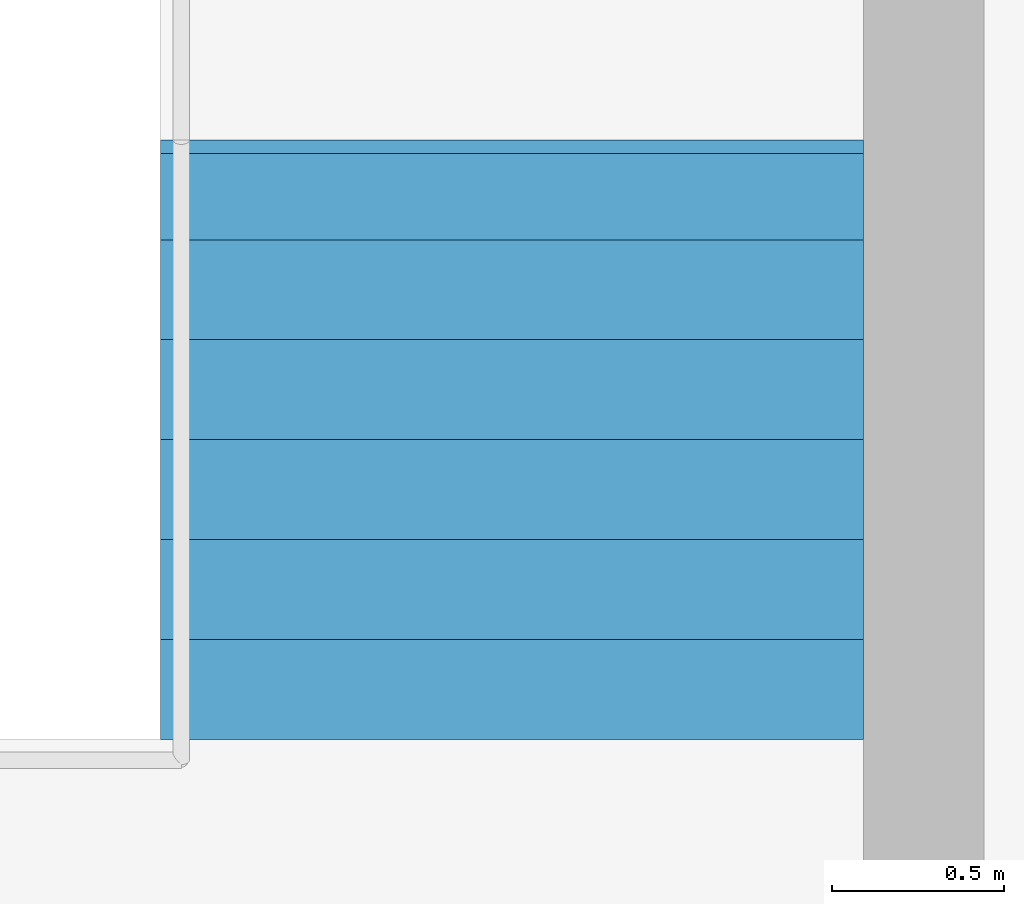
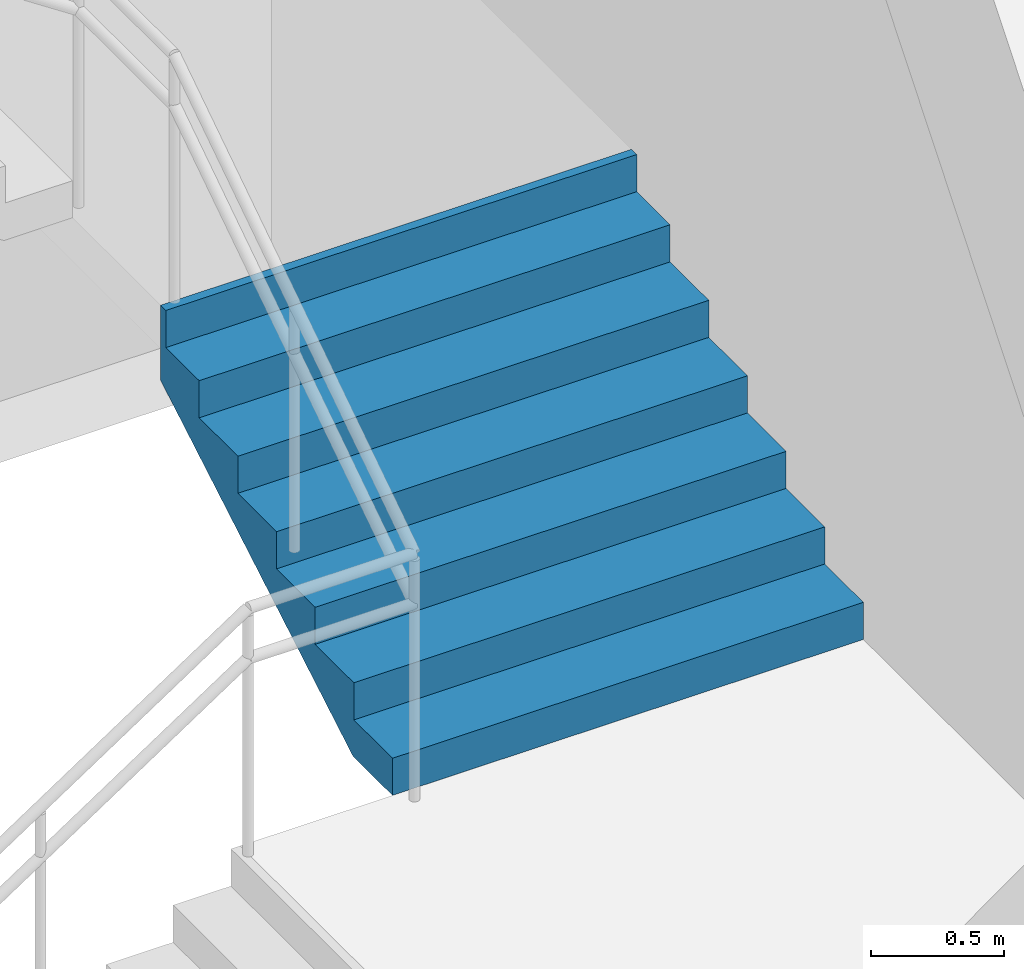
# One storey, part 45 of 58: 1 stair flight, 1 element without a shape of its own.
"""IFC4 building model written with IfcOpenShell, lengths in metres."""

import ifcopenshell
import ifcopenshell.guid

model = None  # the IFC model being written
_history = None  # IfcOwnerHistory: only IFC2X3 demands one
_inside = {}  # id of a spatial element -> (the spatial element, [elements in it])
_under = {}  # id of a project, library or spatial element -> (it, [spatial elements below it])
_declared = {}  # id of a project -> (the project, [libraries it declares])
_typed = {}  # id of a type object -> (the type object, [elements of that type])
_made_of = {}  # id of a material, layer set ... -> (it, [elements and type objects made of it])


def new_model(schema):
    """Start an empty IFC model of exactly this schema.

    Asked for "IFC4X3", IfcOpenShell would pick the latest addendum, in which some entities
    have other attributes; the version numbers below select the first issue.
    IFC2X3 requires an IfcOwnerHistory on every rooted entity: one is made here for all.
    """
    global model, _history
    if schema == "IFC4X3":
        model = ifcopenshell.file(schema_version=(4, 3, 0, 0))
    else:
        model = ifcopenshell.file(schema=schema)
    _inside.clear()
    _under.clear()
    _declared.clear()
    _typed.clear()
    _made_of.clear()
    _history = None
    if model.schema == "IFC2X3":
        org = make("IfcOrganization", Name="unknown")
        user = make(
            "IfcPersonAndOrganization",
            ThePerson=make("IfcPerson", FamilyName="unknown"),
            TheOrganization=org,
        )
        app = make(
            "IfcApplication",
            ApplicationDeveloper=org,
            Version="unknown",
            ApplicationFullName="unknown",
            ApplicationIdentifier="unknown",
        )
        _history = make(
            "IfcOwnerHistory",
            OwningUser=user,
            OwningApplication=app,
            ChangeAction="ADDED",
            CreationDate=0,
        )
    return model


def make(cls, **values):
    """One entity of the class cls with the attributes given. An attribute that is None is left unset."""
    return model.create_entity(
        cls, **{name: value for name, value in values.items() if value is not None}
    )


def rooted(cls, **values):
    """An entity with a GlobalId (a new one), such as an element, a storey or a relation."""
    return make(cls, GlobalId=ifcopenshell.guid.new(), OwnerHistory=_history, **values)


def si_unit(unit_type, name, prefix=None):
    """IfcSIUnit, for example si_unit("LENGTHUNIT", "METRE", prefix="MILLI")."""
    return make("IfcSIUnit", UnitType=unit_type, Prefix=prefix, Name=name)


def assignment(units):
    """IfcUnitAssignment: the units of a project."""
    return None if units is None else make("IfcUnitAssignment", Units=units)


def point(xyz):
    """IfcCartesianPoint."""
    return None if xyz is None else make("IfcCartesianPoint", Coordinates=xyz)


def direction(xyz):
    """IfcDirection."""
    return None if xyz is None else make("IfcDirection", DirectionRatios=xyz)


def frame(location, z_axis=None, x_axis=None):
    """IfcAxis2Placement3D, a coordinate frame: its origin and axes. An axis left out is left unset."""
    return make(
        "IfcAxis2Placement3D",
        Location=point(location),
        Axis=direction(z_axis),
        RefDirection=direction(x_axis),
    )


def origin():
    """The frame at (0, 0, 0) with its axes left unset."""
    return frame((0.0, 0.0, 0.0))


def place(relative_to, where):
    """IfcLocalPlacement: puts the frame where relative to a parent placement (None: the world)."""
    return make(
        "IfcLocalPlacement", PlacementRelTo=relative_to, RelativePlacement=where
    )


def context(
    kind, dimensions, precision=None, world=None, true_north=None, identifier=None
):
    """IfcGeometricRepresentationContext, for example the 3D "Model" context."""
    return make(
        "IfcGeometricRepresentationContext",
        ContextIdentifier=identifier,
        ContextType=kind,
        CoordinateSpaceDimension=dimensions,
        Precision=precision,
        WorldCoordinateSystem=world,
        TrueNorth=true_north,
    )


def subcontext(parent, identifier, kind, view, scale=None):
    """IfcGeometricRepresentationSubContext, for example "Body" below "Model"."""
    return make(
        "IfcGeometricRepresentationSubContext",
        ContextIdentifier=identifier,
        ContextType=kind,
        ParentContext=parent,
        TargetScale=scale,
        TargetView=view,
    )


def project(units=None, contexts=None):
    """IfcProject with its units and contexts."""
    return rooted(
        "IfcProject",
        Name="project",
        RepresentationContexts=contexts,
        UnitsInContext=assignment(units),
    )


def spatial(cls, under=None, at=None, **own):
    """A site, building, storey or space (cls), placed at a placement, below another one or the project."""
    s = rooted(cls, ObjectPlacement=at, **own)
    if under is not None:
        _under.setdefault(under.id(), (under, []))[1].append(s)
    return s


def point_list(points):
    """IfcCartesianPointList2D or 3D."""
    cls = (
        "IfcCartesianPointList2D" if len(points[0]) == 2 else "IfcCartesianPointList3D"
    )
    return make(cls, CoordList=points)


def triangles(points, corners, closed=None, point_numbers=None):
    """IfcTriangulatedFaceSet: each triangle names its three corners, points numbered from 1."""
    return make(
        "IfcTriangulatedFaceSet",
        Coordinates=point_list(points),
        Closed=closed,
        CoordIndex=corners,
        PnIndex=point_numbers,
    )


def shape(context_of_items, identifier, shape_type, items):
    """IfcShapeRepresentation: the items that make up one representation, for example the "Body"."""
    return make(
        "IfcShapeRepresentation",
        ContextOfItems=context_of_items,
        RepresentationIdentifier=identifier,
        RepresentationType=shape_type,
        Items=items,
    )


def material(Name=None, Category=None):
    """IfcMaterial."""
    return make("IfcMaterial", Name=Name, Category=Category)


def made_of(thing, what):
    """Note that an element or type object is made of a material, layer set ...; save() writes the relation."""
    if what is not None:
        _made_of.setdefault(what.id(), (what, []))[1].append(thing)
    return thing


def type_object(cls, material=None, **own):
    """A type object (cls), such as IfcWallType, which elements share."""
    return made_of(rooted(cls, **own), material)


def element(
    cls,
    number,
    at=None,
    inside=None,
    cuts=None,
    type_object=None,
    material=None,
    context=None,
    identifier="Body",
    shape_type=None,
    held_by="IfcProductDefinitionShape",
    body=None,
    shapes=None,
    **own,
):
    """One element of the class cls, such as IfcWall. Its Tag is "e" and its number.

    at: its placement. inside: the storey or other place that contains it. cuts: it is an
    opening in that element (IfcRelVoidsElement). A single representation is given by context,
    identifier, shape_type and body (its items); several are given by shapes. held_by: the class
    of the entity that holds the representations. save() writes the other relations.
    """
    e = rooted(cls, Tag="e%d" % number, ObjectPlacement=at, **own)
    if body is not None:
        shapes = [shape(context, identifier, shape_type, body)]
    if shapes is not None:
        e.Representation = make(held_by, Representations=shapes)
    if inside is not None:
        _inside.setdefault(inside.id(), (inside, []))[1].append(e)
    if cuts is not None:
        rooted(
            "IfcRelVoidsElement", RelatingBuildingElement=cuts, RelatedOpeningElement=e
        )
    if type_object is not None:
        _typed.setdefault(type_object.id(), (type_object, []))[1].append(e)
    return made_of(e, material)


def aggregate(whole, parts):
    """IfcRelAggregates: a whole, such as a stair, and the parts it consists of."""
    return rooted("IfcRelAggregates", RelatingObject=whole, RelatedObjects=parts)


def save(model, path):
    """Write the relations noted so far, then the file.

    IfcRelAggregates (storeys below a building ...), IfcRelContainedInSpatialStructure (elements
    in a storey), IfcRelDefinesByType, IfcRelAssociatesMaterial and IfcRelDeclares: one each for
    every whole, place, type object, material and project.
    """
    for whole, parts in _under.values():
        aggregate(whole, parts)
    for where, things in _inside.values():
        rooted(
            "IfcRelContainedInSpatialStructure",
            RelatedElements=things,
            RelatingStructure=where,
        )
    for kind, things in _typed.values():
        rooted("IfcRelDefinesByType", RelatedObjects=things, RelatingType=kind)
    for what, things in _made_of.values():
        rooted("IfcRelAssociatesMaterial", RelatedObjects=things, RelatingMaterial=what)
    for by, libraries in _declared.values():
        rooted("IfcRelDeclares", RelatingContext=by, RelatedDefinitions=libraries)
    model.write(path)


model = new_model("IFC4")

# Units and contexts
model_context = context("Model", 3, precision=1e-05, world=origin(), true_north=direction((0.0, 1.0)))
body_context = subcontext(model_context, "Body", "Model", "MODEL_VIEW")
ifc_project = project(units=[si_unit("LENGTHUNIT", "METRE"), si_unit("AREAUNIT", "SQUARE_METRE"), si_unit("VOLUMEUNIT", "CUBIC_METRE"), si_unit("PLANEANGLEUNIT", "RADIAN"), si_unit("MASSUNIT", "GRAM", prefix="KILO")], contexts=[model_context])

# Site, building, storey
site_placement = place(None, origin())
site = spatial("IfcSite", under=ifc_project, at=site_placement, CompositionType="ELEMENT")
building_placement = place(site_placement, origin())
building = spatial("IfcBuilding", under=site, at=building_placement, Name="Sillaruma Civic Art Gallery", CompositionType="ELEMENT")
storey_placement = place(building_placement, frame((0.0, 0.0, 28.56005859375)))
storey = spatial("IfcBuildingStorey", under=building, at=storey_placement, Name="L05", CompositionType="ELEMENT", Elevation=28.56005859375)

# Stair, stair flight
ifc_material = material(Name="Concrete H35 (35 MPa)", Category="concrete")
stair_type = type_object("IfcStairType", Name="STR-4F-27", PredefinedType="USERDEFINED", material=ifc_material)
stair_placement = place(storey_placement, origin())
stair = element("IfcStair", 1, at=stair_placement, inside=storey, type_object=stair_type, Name="Protected Exit Stair ST-03 (West Bar South) (L05)", ObjectType="THREE_RETURN_STAIR", PredefinedType="USERDEFINED")
stair_flight_type = type_object("IfcStairFlightType", Name="SFL-STR-7", PredefinedType="STRAIGHT", material=ifc_material)
stair_flight_placement = place(storey_placement, frame((68.219970703125, 33.449951171875, 1.18994140625), z_axis=(0.0, 0.0, 1.0), x_axis=(0.0, 1.0, 0.0)))
stair_flight = element("IfcStairFlight", 2, at=stair_flight_placement, type_object=stair_flight_type, Name="ST-03 flight 2", NumberOfRisers=7, NumberOfTreads=6, PredefinedType="STRAIGHT", RiserHeight=0.17, TreadLength=0.29, context=body_context, shape_type="Tessellation", body=[
    triangles([(0.0, -1.02001953125, 0.0), (0.29, -1.02001953125, 0.0), (0.296404, -1.02001953125, 0.0), (0.58, -1.02001953125, 0.166246), (0.87, -1.02001953125, 0.336246), (1.16, -1.02001953125, 0.506246), (1.45, -1.02001953125, 0.676246), (1.69999, -1.02001953125, 0.822792), (1.73999, -1.02001953125, 0.84624), (1.73999, -1.02001953125, 1.19), (1.69999, -1.02001953125, 1.19), (1.69999, -1.02001953125, 1.02), (1.45, -1.02001953125, 1.02), (1.45, -1.02001953125, 0.85), (1.16, -1.02001953125, 0.85), (1.16, -1.02001953125, 0.68), (0.87, -1.02001953125, 0.68), (0.87, -1.02001953125, 0.51), (0.58, -1.02001953125, 0.51), (0.58, -1.02001953125, 0.34), (0.296404, -1.02001953125, 0.34), (0.29, -1.02001953125, 0.34), (0.29, -1.02001953125, 0.17), (0.0, -1.02001953125, 0.17), (0.0, -0.05, 0.0), (0.29, -0.05, 0.0), (0.296404, -0.05, 0.0), (0.58, -0.05, 0.166246), (0.87, -0.05, 0.336246), (1.16, -0.05, 0.506246), (1.45, -0.05, 0.676246), (1.69999, -0.05, 0.822792), (1.73999, -0.05, 0.84624), (1.73999, -0.05, 1.19), (1.69999, -0.05, 1.19), (1.69999, -0.05, 1.02), (1.45, -0.05, 1.02), (1.45, -0.05, 0.85), (1.16, -0.05, 0.85), (1.16, -0.05, 0.68), (0.87, -0.05, 0.68), (0.87, -0.05, 0.51), (0.58, -0.05, 0.51), (0.58, -0.05, 0.34), (0.296404, -0.05, 0.34), (0.29, -0.05, 0.34), (0.29, -0.05, 0.17), (0.0, -0.05, 0.17), (0.0, -0.0375, 0.0), (0.29, -0.0375, 0.0), (0.296404, -0.0375, 0.0), (0.58, -0.0375, 0.166246), (0.87, -0.0375, 0.336246), (1.16, -0.0375, 0.506246), (1.45, -0.0375, 0.676246), (1.69999, -0.0375, 0.822792), (1.73999, -0.0375, 0.84624), (1.73999, -0.0375, 1.19), (1.69999, -0.0375, 1.19), (1.69999, -0.0375, 1.02), (1.45, -0.0375, 1.02), (1.45, -0.0375, 0.85), (1.16, -0.0375, 0.85), (1.16, -0.0375, 0.68), (0.87, -0.0375, 0.68), (0.87, -0.0375, 0.51), (0.58, -0.0375, 0.51), (0.58, -0.0375, 0.34), (0.296404, -0.0375, 0.34), (0.29, -0.0375, 0.34), (0.29, -0.0375, 0.17), (0.0, -0.0375, 0.17), (0.0, -0.025, 0.0), (0.29, -0.025, 0.0), (0.296404, -0.025, 0.0), (0.58, -0.025, 0.166246), (0.87, -0.025, 0.336246), (1.16, -0.025, 0.506246), (1.45, -0.025, 0.676246), (1.69999, -0.025, 0.822792), (1.73999, -0.025, 0.84624), (1.73999, -0.025, 1.19), (1.69999, -0.025, 1.19), (1.69999, -0.025, 1.02), (1.45, -0.025, 1.02), (1.45, -0.025, 0.85), (1.16, -0.025, 0.85), (1.16, -0.025, 0.68), (0.87, -0.025, 0.68), (0.87, -0.025, 0.51), (0.58, -0.025, 0.51), (0.58, -0.025, 0.34), (0.296404, -0.025, 0.34), (0.29, -0.025, 0.34), (0.29, -0.025, 0.17), (0.0, -0.025, 0.17), (0.0, -0.0125, 0.0), (0.29, -0.0125, 0.0), (0.296404, -0.0125, 0.0), (0.58, -0.0125, 0.166246), (0.87, -0.0125, 0.336246), (1.16, -0.0125, 0.506246), (1.45, -0.0125, 0.676246), (1.69999, -0.0125, 0.822792), (1.73999, -0.0125, 0.84624), (1.73999, -0.0125, 1.19), (1.69999, -0.0125, 1.19), (1.69999, -0.0125, 1.02), (1.45, -0.0125, 1.02), (1.45, -0.0125, 0.85), (1.16, -0.0125, 0.85), (1.16, -0.0125, 0.68), (0.87, -0.0125, 0.68), (0.87, -0.0125, 0.51), (0.58, -0.0125, 0.51), (0.58, -0.0125, 0.34), (0.296404, -0.0125, 0.34), (0.29, -0.0125, 0.34), (0.29, -0.0125, 0.17), (0.0, -0.0125, 0.17), (0.0, 0.0, 0.0), (0.29, 0.0, 0.0), (0.296404, 0.0, 0.0), (0.58, 0.0, 0.166246), (0.87, 0.0, 0.336246), (1.16, 0.0, 0.506246), (1.45, 0.0, 0.676246), (1.69999, 0.0, 0.822792), (1.73999, 0.0, 0.84624), (1.73999, 0.0, 1.19), (1.69999, 0.0, 1.19), (1.69999, 0.0, 1.02), (1.45, 0.0, 1.02), (1.45, 0.0, 0.85), (1.16, 0.0, 0.85), (1.16, 0.0, 0.68), (0.87, 0.0, 0.68), (0.87, 0.0, 0.51), (0.58, 0.0, 0.51), (0.58, 0.0, 0.34), (0.296404, 0.0, 0.34), (0.29, 0.0, 0.34), (0.29, 0.0, 0.17), (0.0, 0.0, 0.17), (0.0, 0.0125, 0.0), (0.29, 0.0125, 0.0), (0.296404, 0.0125, 0.0), (0.58, 0.0125, 0.166246), (0.87, 0.0125, 0.336246), (1.16, 0.0125, 0.506246), (1.45, 0.0125, 0.676246), (1.69999, 0.0125, 0.822792), (1.73999, 0.0125, 0.84624), (1.73999, 0.0125, 1.19), (1.69999, 0.0125, 1.19), (1.69999, 0.0125, 1.02), (1.45, 0.0125, 1.02), (1.45, 0.0125, 0.85), (1.16, 0.0125, 0.85), (1.16, 0.0125, 0.68), (0.87, 0.0125, 0.68), (0.87, 0.0125, 0.51), (0.58, 0.0125, 0.51), (0.58, 0.0125, 0.34), (0.296404, 0.0125, 0.34), (0.29, 0.0125, 0.34), (0.29, 0.0125, 0.17), (0.0, 0.0125, 0.17), (0.0, 0.025, 0.0), (0.29, 0.025, 0.0), (0.296404, 0.025, 0.0), (0.58, 0.025, 0.166246), (0.87, 0.025, 0.336246), (1.16, 0.025, 0.506246), (1.45, 0.025, 0.676246), (1.69999, 0.025, 0.822792), (1.73999, 0.025, 0.84624), (1.73999, 0.025, 1.19), (1.69999, 0.025, 1.19), (1.69999, 0.025, 1.02), (1.45, 0.025, 1.02), (1.45, 0.025, 0.85), (1.16, 0.025, 0.85), (1.16, 0.025, 0.68), (0.87, 0.025, 0.68), (0.87, 0.025, 0.51), (0.58, 0.025, 0.51), (0.58, 0.025, 0.34), (0.296404, 0.025, 0.34), (0.29, 0.025, 0.34), (0.29, 0.025, 0.17), (0.0, 0.025, 0.17), (0.0, 0.0375, 0.0), (0.29, 0.0375, 0.0), (0.296404, 0.0375, 0.0), (0.58, 0.0375, 0.166246), (0.87, 0.0375, 0.336246), (1.16, 0.0375, 0.506246), (1.45, 0.0375, 0.676246), (1.69999, 0.0375, 0.822792), (1.73999, 0.0375, 0.84624), (1.73999, 0.0375, 1.19), (1.69999, 0.0375, 1.19), (1.69999, 0.0375, 1.02), (1.45, 0.0375, 1.02), (1.45, 0.0375, 0.85), (1.16, 0.0375, 0.85), (1.16, 0.0375, 0.68), (0.87, 0.0375, 0.68), (0.87, 0.0375, 0.51), (0.58, 0.0375, 0.51), (0.58, 0.0375, 0.34), (0.296404, 0.0375, 0.34), (0.29, 0.0375, 0.34), (0.29, 0.0375, 0.17), (0.0, 0.0375, 0.17), (0.0, 0.05, 0.0), (0.29, 0.05, 0.0), (0.296404, 0.05, 0.0), (0.58, 0.05, 0.166246), (0.87, 0.05, 0.336246), (1.16, 0.05, 0.506246), (1.45, 0.05, 0.676246), (1.69999, 0.05, 0.822792), (1.73999, 0.05, 0.84624), (1.73999, 0.05, 1.19), (1.69999, 0.05, 1.19), (1.69999, 0.05, 1.02), (1.45, 0.05, 1.02), (1.45, 0.05, 0.85), (1.16, 0.05, 0.85), (1.16, 0.05, 0.68), (0.87, 0.05, 0.68), (0.87, 0.05, 0.51), (0.58, 0.05, 0.51), (0.58, 0.05, 0.34), (0.296404, 0.05, 0.34), (0.29, 0.05, 0.34), (0.29, 0.05, 0.17), (0.0, 0.05, 0.17), (0.0, 1.02001953125, 0.0), (0.29, 1.02001953125, 0.0), (0.296404, 1.02001953125, 0.0), (0.58, 1.02001953125, 0.166246), (0.87, 1.02001953125, 0.336246), (1.16, 1.02001953125, 0.506246), (1.45, 1.02001953125, 0.676246), (1.69999, 1.02001953125, 0.822792), (1.73999, 1.02001953125, 0.84624), (1.73999, 1.02001953125, 1.19), (1.69999, 1.02001953125, 1.19), (1.69999, 1.02001953125, 1.02), (1.45, 1.02001953125, 1.02), (1.45, 1.02001953125, 0.85), (1.16, 1.02001953125, 0.85), (1.16, 1.02001953125, 0.68), (0.87, 1.02001953125, 0.68), (0.87, 1.02001953125, 0.51), (0.58, 1.02001953125, 0.51), (0.58, 1.02001953125, 0.34), (0.296404, 1.02001953125, 0.34), (0.29, 1.02001953125, 0.34), (0.29, 1.02001953125, 0.17), (0.0, 1.02001953125, 0.17)], [[1, 2, 23], [1, 23, 24], [2, 3, 21], [2, 21, 23], [23, 21, 22], [3, 4, 20], [3, 20, 21], [4, 5, 18], [4, 18, 20], [20, 18, 19], [5, 6, 16], [5, 16, 18], [18, 16, 17], [6, 7, 14], [6, 14, 16], [16, 14, 15], [7, 8, 12], [7, 12, 14], [14, 12, 13], [8, 9, 10], [8, 10, 12], [12, 10, 11], [263, 242, 241], [264, 263, 241], [261, 243, 242], [263, 261, 242], [262, 261, 263], [260, 244, 243], [261, 260, 243], [258, 245, 244], [260, 258, 244], [259, 258, 260], [256, 246, 245], [258, 256, 245], [257, 256, 258], [254, 247, 246], [256, 254, 246], [255, 254, 256], [252, 248, 247], [254, 252, 247], [253, 252, 254], [250, 249, 248], [252, 250, 248], [251, 250, 252], [2, 1, 25], [2, 25, 26], [3, 2, 26], [3, 26, 27], [4, 3, 27], [4, 27, 28], [5, 4, 28], [5, 28, 29], [6, 5, 29], [6, 29, 30], [7, 6, 30], [7, 30, 31], [8, 7, 31], [8, 31, 32], [9, 8, 32], [9, 32, 33], [10, 9, 33], [10, 33, 34], [11, 10, 34], [11, 34, 35], [12, 11, 35], [12, 35, 36], [13, 12, 36], [13, 36, 37], [14, 13, 37], [14, 37, 38], [15, 14, 38], [15, 38, 39], [16, 15, 39], [16, 39, 40], [17, 16, 40], [17, 40, 41], [18, 17, 41], [18, 41, 42], [19, 18, 42], [19, 42, 43], [20, 19, 43], [20, 43, 44], [21, 20, 44], [21, 44, 45], [22, 21, 45], [22, 45, 46], [23, 22, 46], [23, 46, 47], [24, 23, 47], [24, 47, 48], [1, 24, 48], [1, 48, 25], [26, 25, 49], [26, 49, 50], [27, 26, 50], [27, 50, 51], [28, 27, 51], [28, 51, 52], [29, 28, 52], [29, 52, 53], [30, 29, 53], [30, 53, 54], [31, 30, 54], [31, 54, 55], [32, 31, 55], [32, 55, 56], [33, 32, 56], [33, 56, 57], [34, 33, 57], [34, 57, 58], [35, 34, 58], [35, 58, 59], [36, 35, 59], [36, 59, 60], [37, 36, 60], [37, 60, 61], [38, 37, 61], [38, 61, 62], [39, 38, 62], [39, 62, 63], [40, 39, 63], [40, 63, 64], [41, 40, 64], [41, 64, 65], [42, 41, 65], [42, 65, 66], [43, 42, 66], [43, 66, 67], [44, 43, 67], [44, 67, 68], [45, 44, 68], [45, 68, 69], [46, 45, 69], [46, 69, 70], [47, 46, 70], [47, 70, 71], [48, 47, 71], [48, 71, 72], [25, 48, 72], [25, 72, 49], [50, 49, 73], [50, 73, 74], [51, 50, 74], [51, 74, 75], [52, 51, 75], [52, 75, 76], [53, 52, 76], [53, 76, 77], [54, 53, 77], [54, 77, 78], [55, 54, 78], [55, 78, 79], [56, 55, 79], [56, 79, 80], [57, 56, 80], [57, 80, 81], [58, 57, 81], [58, 81, 82], [59, 58, 82], [59, 82, 83], [60, 59, 83], [60, 83, 84], [61, 60, 84], [61, 84, 85], [62, 61, 85], [62, 85, 86], [63, 62, 86], [63, 86, 87], [64, 63, 87], [64, 87, 88], [65, 64, 88], [65, 88, 89], [66, 65, 89], [66, 89, 90], [67, 66, 90], [67, 90, 91], [68, 67, 91], [68, 91, 92], [69, 68, 92], [69, 92, 93], [70, 69, 93], [70, 93, 94], [71, 70, 94], [71, 94, 95], [72, 71, 95], [72, 95, 96], [49, 72, 96], [49, 96, 73], [74, 73, 97], [74, 97, 98], [75, 74, 98], [75, 98, 99], [76, 75, 99], [76, 99, 100], [77, 76, 100], [77, 100, 101], [78, 77, 101], [78, 101, 102], [79, 78, 102], [79, 102, 103], [80, 79, 103], [80, 103, 104], [81, 80, 104], [81, 104, 105], [82, 81, 105], [82, 105, 106], [83, 82, 106], [83, 106, 107], [84, 83, 107], [84, 107, 108], [85, 84, 108], [85, 108, 109], [86, 85, 109], [86, 109, 110], [87, 86, 110], [87, 110, 111], [88, 87, 111], [88, 111, 112], [89, 88, 112], [89, 112, 113], [90, 89, 113], [90, 113, 114], [91, 90, 114], [91, 114, 115], [92, 91, 115], [92, 115, 116], [93, 92, 116], [93, 116, 117], [94, 93, 117], [94, 117, 118], [95, 94, 118], [95, 118, 119], [96, 95, 119], [96, 119, 120], [73, 96, 120], [73, 120, 97], [98, 97, 121], [98, 121, 122], [99, 98, 122], [99, 122, 123], [100, 99, 123], [100, 123, 124], [101, 100, 124], [101, 124, 125], [102, 101, 125], [102, 125, 126], [103, 102, 126], [103, 126, 127], [104, 103, 127], [104, 127, 128], [105, 104, 128], [105, 128, 129], [106, 105, 129], [106, 129, 130], [107, 106, 130], [107, 130, 131], [108, 107, 131], [108, 131, 132], [109, 108, 132], [109, 132, 133], [110, 109, 133], [110, 133, 134], [111, 110, 134], [111, 134, 135], [112, 111, 135], [112, 135, 136], [113, 112, 136], [113, 136, 137], [114, 113, 137], [114, 137, 138], [115, 114, 138], [115, 138, 139], [116, 115, 139], [116, 139, 140], [117, 116, 140], [117, 140, 141], [118, 117, 141], [118, 141, 142], [119, 118, 142], [119, 142, 143], [120, 119, 143], [120, 143, 144], [97, 120, 144], [97, 144, 121], [122, 121, 145], [122, 145, 146], [123, 122, 146], [123, 146, 147], [124, 123, 147], [124, 147, 148], [125, 124, 148], [125, 148, 149], [126, 125, 149], [126, 149, 150], [127, 126, 150], [127, 150, 151], [128, 127, 151], [128, 151, 152], [129, 128, 152], [129, 152, 153], [130, 129, 153], [130, 153, 154], [131, 130, 154], [131, 154, 155], [132, 131, 155], [132, 155, 156], [133, 132, 156], [133, 156, 157], [134, 133, 157], [134, 157, 158], [135, 134, 158], [135, 158, 159], [136, 135, 159], [136, 159, 160], [137, 136, 160], [137, 160, 161], [138, 137, 161], [138, 161, 162], [139, 138, 162], [139, 162, 163], [140, 139, 163], [140, 163, 164], [141, 140, 164], [141, 164, 165], [142, 141, 165], [142, 165, 166], [143, 142, 166], [143, 166, 167], [144, 143, 167], [144, 167, 168], [121, 144, 168], [121, 168, 145], [146, 145, 169], [146, 169, 170], [147, 146, 170], [147, 170, 171], [148, 147, 171], [148, 171, 172], [149, 148, 172], [149, 172, 173], [150, 149, 173], [150, 173, 174], [151, 150, 174], [151, 174, 175], [152, 151, 175], [152, 175, 176], [153, 152, 176], [153, 176, 177], [154, 153, 177], [154, 177, 178], [155, 154, 178], [155, 178, 179], [156, 155, 179], [156, 179, 180], [157, 156, 180], [157, 180, 181], [158, 157, 181], [158, 181, 182], [159, 158, 182], [159, 182, 183], [160, 159, 183], [160, 183, 184], [161, 160, 184], [161, 184, 185], [162, 161, 185], [162, 185, 186], [163, 162, 186], [163, 186, 187], [164, 163, 187], [164, 187, 188], [165, 164, 188], [165, 188, 189], [166, 165, 189], [166, 189, 190], [167, 166, 190], [167, 190, 191], [168, 167, 191], [168, 191, 192], [145, 168, 192], [145, 192, 169], [170, 169, 193], [170, 193, 194], [171, 170, 194], [171, 194, 195], [172, 171, 195], [172, 195, 196], [173, 172, 196], [173, 196, 197], [174, 173, 197], [174, 197, 198], [175, 174, 198], [175, 198, 199], [176, 175, 199], [176, 199, 200], [177, 176, 200], [177, 200, 201], [178, 177, 201], [178, 201, 202], [179, 178, 202], [179, 202, 203], [180, 179, 203], [180, 203, 204], [181, 180, 204], [181, 204, 205], [182, 181, 205], [182, 205, 206], [183, 182, 206], [183, 206, 207], [184, 183, 207], [184, 207, 208], [185, 184, 208], [185, 208, 209], [186, 185, 209], [186, 209, 210], [187, 186, 210], [187, 210, 211], [188, 187, 211], [188, 211, 212], [189, 188, 212], [189, 212, 213], [190, 189, 213], [190, 213, 214], [191, 190, 214], [191, 214, 215], [192, 191, 215], [192, 215, 216], [169, 192, 216], [169, 216, 193], [194, 193, 217], [194, 217, 218], [195, 194, 218], [195, 218, 219], [196, 195, 219], [196, 219, 220], [197, 196, 220], [197, 220, 221], [198, 197, 221], [198, 221, 222], [199, 198, 222], [199, 222, 223], [200, 199, 223], [200, 223, 224], [201, 200, 224], [201, 224, 225], [202, 201, 225], [202, 225, 226], [203, 202, 226], [203, 226, 227], [204, 203, 227], [204, 227, 228], [205, 204, 228], [205, 228, 229], [206, 205, 229], [206, 229, 230], [207, 206, 230], [207, 230, 231], [208, 207, 231], [208, 231, 232], [209, 208, 232], [209, 232, 233], [210, 209, 233], [210, 233, 234], [211, 210, 234], [211, 234, 235], [212, 211, 235], [212, 235, 236], [213, 212, 236], [213, 236, 237], [214, 213, 237], [214, 237, 238], [215, 214, 238], [215, 238, 239], [216, 215, 239], [216, 239, 240], [193, 216, 240], [193, 240, 217], [218, 217, 241], [218, 241, 242], [219, 218, 242], [219, 242, 243], [220, 219, 243], [220, 243, 244], [221, 220, 244], [221, 244, 245], [222, 221, 245], [222, 245, 246], [223, 222, 246], [223, 246, 247], [224, 223, 247], [224, 247, 248], [225, 224, 248], [225, 248, 249], [226, 225, 249], [226, 249, 250], [227, 226, 250], [227, 250, 251], [228, 227, 251], [228, 251, 252], [229, 228, 252], [229, 252, 253], [230, 229, 253], [230, 253, 254], [231, 230, 254], [231, 254, 255], [232, 231, 255], [232, 255, 256], [233, 232, 256], [233, 256, 257], [234, 233, 257], [234, 257, 258], [235, 234, 258], [235, 258, 259], [236, 235, 259], [236, 259, 260], [237, 236, 260], [237, 260, 261], [238, 237, 261], [238, 261, 262], [239, 238, 262], [239, 262, 263], [240, 239, 263], [240, 263, 264], [217, 240, 264], [217, 264, 241]], closed=True),
])
aggregate(stair, [stair_flight])

save(model, "model.ifc")
